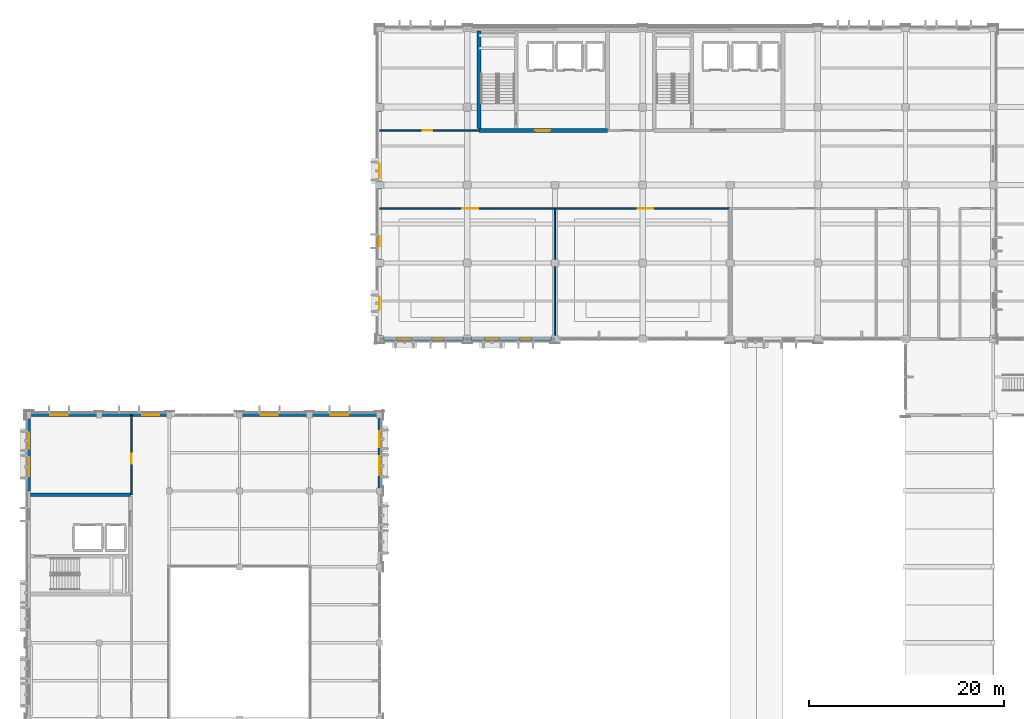
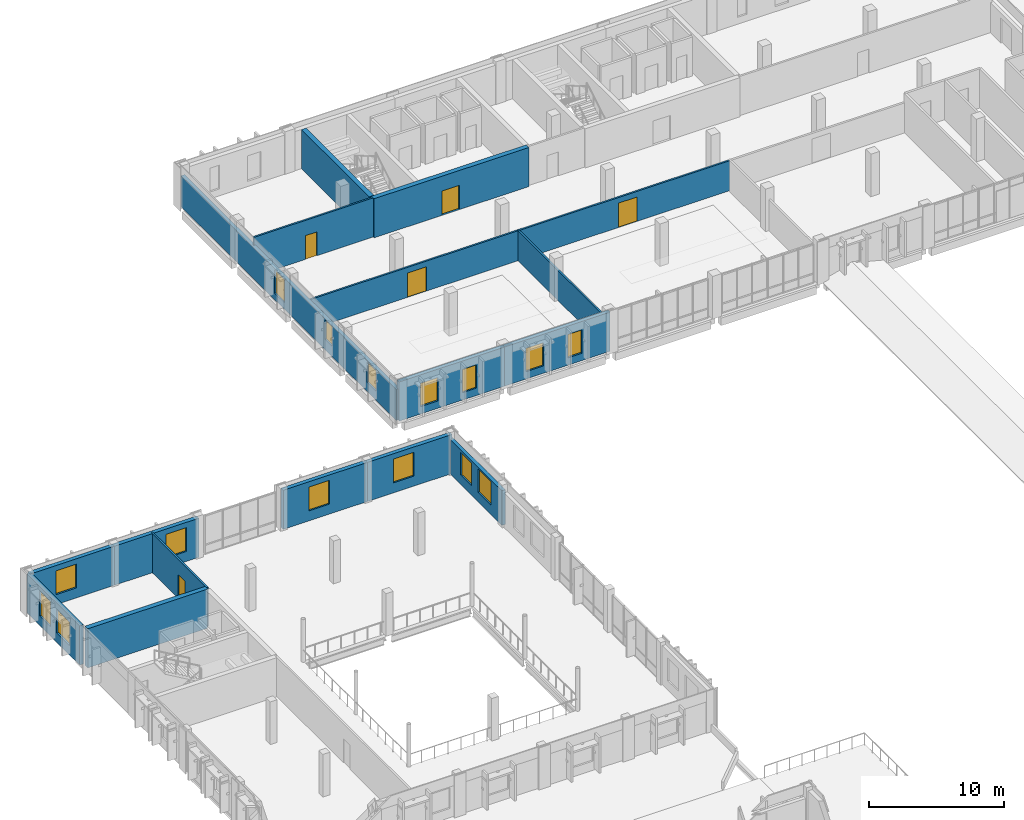
# One storey, part 42 of 64: 17 walls, 15 windows, 5 doors, 20 openings.
"""IFC4 building model written with IfcOpenShell, lengths in metres."""

from ifc_helpers import new_model, si_unit, direction, frame, frame_2d, origin, place, context, subcontext, project, spatial, rectangle, extrude, material, layer, layer_set, type_object, element, fill, save


model = new_model("IFC4")

# Units and contexts
model_context = context("Model", 3, precision=1e-05, world=origin(), true_north=direction((0.0, 1.0)))
body_context = subcontext(model_context, "Body", "Model", "MODEL_VIEW")
ifc_project = project(units=[si_unit("LENGTHUNIT", "METRE"), si_unit("AREAUNIT", "SQUARE_METRE"), si_unit("VOLUMEUNIT", "CUBIC_METRE"), si_unit("PLANEANGLEUNIT", "RADIAN"), si_unit("MASSUNIT", "GRAM", prefix="KILO")], contexts=[model_context])

# Site, building, storey
site_placement = place(None, origin())
site = spatial("IfcSite", under=ifc_project, at=site_placement, CompositionType="ELEMENT")
building_placement = place(site_placement, origin())
building = spatial("IfcBuilding", under=site, at=building_placement, Name="Vervanel Yard Central Library", CompositionType="ELEMENT")
storey_placement = place(building_placement, frame((0.0, 0.0, 8.93994140625)))
storey = spatial("IfcBuildingStorey", under=building, at=storey_placement, Name="L02", CompositionType="ELEMENT", Elevation=8.93994140625)

# Wall, openings, windows
ifc_material_1 = material(Name="Precast concrete C45/55", Category="concrete")
ifc_layer_1 = layer(ifc_material_1, 0.300048828125, Category="concrete")
ifc_layer_set_1 = layer_set([ifc_layer_1], Name="Precast concrete C45/55")
wall_type_1 = type_object("IfcWallType", Name="Bush-Hammered Precast Cladding Wall 300", PredefinedType="SOLIDWALL", material=ifc_layer_set_1)
wall_1_placement = place(storey_placement, frame((36.0, 82.199951171875, 0.0), z_axis=(0.0, 0.0, 1.0), x_axis=(0.0, 1.0, 0.0)))
wall_1 = element("IfcWall", 1, at=wall_1_placement, inside=storey, type_object=wall_type_1, Name="L02 Bush-Hammered Precast Cladding Wall 300 EWALL-L02-0042", PredefinedType="SOLIDWALL", context=body_context, shape_type="SweptSolid", body=[
    extrude(rectangle(XDim=31.800048828125, YDim=0.300048828125, at=frame_2d((15.89990234375, 0.0))), origin(), (0.0, 0.0, 1.0), 2.80517578125),
])
opening_1_placement = place(wall_1_placement, frame((3.0, 0.0, 0.8349609375)))
opening_1 = element("IfcOpeningElement", 2, at=opening_1_placement, cuts=wall_1, Name="Opening WN-17", PredefinedType="OPENING", context=body_context, shape_type="SweptSolid", body=[
    extrude(rectangle(XDim=1.35009765625, YDim=1.85009765625, at=frame_2d((0.675048828125, 0.925048828125))), frame((0.0, 0.159912109375, 0.0), z_axis=(0.0, -1.0, 0.0), x_axis=(1.0, 0.0, 0.0)), (0.0, 0.0, 1.0), 0.320068359375),
])
opening_2_placement = place(wall_1_placement, frame((9.5, 0.0, 0.93505859375)))
opening_2 = element("IfcOpeningElement", 3, at=opening_2_placement, cuts=wall_1, Name="Opening WN-16", PredefinedType="OPENING", context=body_context, shape_type="SweptSolid", body=[
    extrude(rectangle(XDim=1.050048828125, YDim=1.75, at=frame_2d((0.52490234375, 0.875))), frame((0.0, 0.159912109375, 0.0), z_axis=(0.0, -1.0, 0.0), x_axis=(1.0, 0.0, 0.0)), (0.0, 0.0, 1.0), 0.320068359375),
])
opening_3_placement = place(wall_1_placement, frame((16.5, 0.0, 0.5849609375)))
opening_3 = element("IfcOpeningElement", 4, at=opening_3_placement, cuts=wall_1, Name="Opening WN-02", PredefinedType="OPENING", context=body_context, shape_type="SweptSolid", body=[
    extrude(rectangle(XDim=1.5, YDim=2.10009765625, at=frame_2d((0.75, 1.050048828125))), frame((0.0, 0.159912109375, 0.0), z_axis=(0.0, -1.0, 0.0), x_axis=(1.0, 0.0, 0.0)), (0.0, 0.0, 1.0), 0.320068359375),
])
ifc_material_2 = material(Name="Double low-E laminated solar-control glass", Category="glass")
window_type_1 = type_object("IfcWindowType", Name="Archive Office Window 1350x1850", PartitioningType="SINGLE_PANEL", PredefinedType="WINDOW", material=ifc_material_2)
window_1_placement = place(opening_1_placement, origin())
window_1 = element("IfcWindow", 5, at=window_1_placement, inside=storey, type_object=window_type_1, Name="L02 Archive Office Window 1350x1850 57", OverallHeight=1.85009765625, OverallWidth=1.35009765625, PartitioningType="SINGLE_PANEL", PredefinedType="WINDOW", context=body_context, shape_type="SweptSolid", body=[
    extrude(rectangle(XDim=1.35009765625, YDim=1.85009765625, at=frame_2d((0.675048828125, 0.925048828125))), frame((0.0, 0.030029296875, 0.0), z_axis=(0.0, -1.0, 0.0), x_axis=(1.0, 0.0, 0.0)), (0.0, 0.0, 1.0), 0.06005859375),
])
fill(opening_1, window_1)
window_type_2 = type_object("IfcWindowType", Name="Reading Bay Window 1500x2100", PartitioningType="SINGLE_PANEL", PredefinedType="WINDOW", material=ifc_material_2)
window_2_placement = place(opening_3_placement, origin())
window_2 = element("IfcWindow", 6, at=window_2_placement, inside=storey, type_object=window_type_2, Name="L02 Reading Bay Window 1500x2100 59", OverallHeight=2.10009765625, OverallWidth=1.5, PartitioningType="SINGLE_PANEL", PredefinedType="WINDOW", context=body_context, shape_type="SweptSolid", body=[
    extrude(rectangle(XDim=1.5, YDim=2.10009765625, at=frame_2d((0.75, 1.050048828125))), frame((0.0, 0.030029296875, 0.0), z_axis=(0.0, -1.0, 0.0), x_axis=(1.0, 0.0, 0.0)), (0.0, 0.0, 1.0), 0.06005859375),
])
fill(opening_3, window_2)
window_type_3 = type_object("IfcWindowType", Name="Study Carrel Punch Window 1050x1750", PartitioningType="SINGLE_PANEL", PredefinedType="WINDOW", material=ifc_material_2)
window_3_placement = place(opening_2_placement, origin())
window_3 = element("IfcWindow", 7, at=window_3_placement, inside=storey, type_object=window_type_3, Name="L02 Study Carrel Punch Window 1050x1750 58", OverallHeight=1.75, OverallWidth=1.050048828125, PartitioningType="SINGLE_PANEL", PredefinedType="WINDOW", context=body_context, shape_type="SweptSolid", body=[
    extrude(rectangle(XDim=1.050048828125, YDim=1.75, at=frame_2d((0.52490234375, 0.875))), frame((0.0, 0.030029296875, 0.0), z_axis=(0.0, -1.0, 0.0), x_axis=(1.0, 0.0, 0.0)), (0.0, 0.0, 1.0), 0.06005859375),
])
fill(opening_2, window_3)

wall_2_placement = place(storey_placement, frame((36.0, 66.60009765625, 0.0), z_axis=(0.0, 0.0, 1.0), x_axis=(0.0, 1.0, 0.0)))
wall_2 = element("IfcWall", 8, at=wall_2_placement, inside=storey, type_object=wall_type_1, Name="L02 Bush-Hammered Precast Cladding Wall 300 EWALL-L02-0119", PredefinedType="SOLIDWALL", context=body_context, shape_type="SweptSolid", body=[
    extrude(rectangle(XDim=7.7998046875, YDim=0.300048828125, at=frame_2d((3.89990234375, 0.0))), origin(), (0.0, 0.0, 1.0), 3.11767578125),
])
opening_4_placement = place(wall_2_placement, frame((1.60009765625, 0.0, 0.85009765625)))
opening_4 = element("IfcOpeningElement", 9, at=opening_4_placement, cuts=wall_2, Name="Opening WN-24", PredefinedType="OPENING", context=body_context, shape_type="SweptSolid", body=[
    extrude(rectangle(XDim=1.949951171875, YDim=2.10009765625, at=frame_2d((0.97509765625, 1.050048828125))), frame((0.0, 0.159912109375, 0.0), z_axis=(0.0, -1.0, 0.0), x_axis=(1.0, 0.0, 0.0)), (0.0, 0.0, 1.0), 0.320068359375),
])
opening_5_placement = place(wall_2_placement, frame((4.5, 0.0, 0.85009765625)))
opening_5 = element("IfcOpeningElement", 10, at=opening_5_placement, cuts=wall_2, Name="Opening WN-20", PredefinedType="OPENING", context=body_context, shape_type="SweptSolid", body=[
    extrude(rectangle(XDim=1.60009765625, YDim=2.050048828125, at=frame_2d((0.800048828125, 1.02490234375))), frame((0.0, 0.159912109375, 0.0), z_axis=(0.0, -1.0, 0.0), x_axis=(1.0, 0.0, 0.0)), (0.0, 0.0, 1.0), 0.320068359375),
])
window_type_4 = type_object("IfcWindowType", Name="Atrium Study Window 1950x2100", PartitioningType="SINGLE_PANEL", PredefinedType="WINDOW", material=ifc_material_2)
window_4_placement = place(opening_4_placement, origin())
window_4 = element("IfcWindow", 11, at=window_4_placement, inside=storey, type_object=window_type_4, Name="L02 Atrium Study Window 1950x2100 160", OverallHeight=2.10009765625, OverallWidth=1.949951171875, PartitioningType="SINGLE_PANEL", PredefinedType="WINDOW", context=body_context, shape_type="SweptSolid", body=[
    extrude(rectangle(XDim=1.949951171875, YDim=2.10009765625, at=frame_2d((0.97509765625, 1.050048828125))), frame((0.0, 0.030029296875, 0.0), z_axis=(0.0, -1.0, 0.0), x_axis=(1.0, 0.0, 0.0)), (0.0, 0.0, 1.0), 0.06005859375),
])
fill(opening_4, window_4)
window_type_5 = type_object("IfcWindowType", Name="Reading Courtyard Window 1600x2050", PartitioningType="SINGLE_PANEL", PredefinedType="WINDOW", material=ifc_material_2)
window_5_placement = place(opening_5_placement, origin())
window_5 = element("IfcWindow", 12, at=window_5_placement, inside=storey, type_object=window_type_5, Name="L02 Reading Courtyard Window 1600x2050 161", OverallHeight=2.050048828125, OverallWidth=1.60009765625, PartitioningType="SINGLE_PANEL", PredefinedType="WINDOW", context=body_context, shape_type="SweptSolid", body=[
    extrude(rectangle(XDim=1.60009765625, YDim=2.050048828125, at=frame_2d((0.800048828125, 1.02490234375))), frame((0.0, 0.030029296875, 0.0), z_axis=(0.0, -1.0, 0.0), x_axis=(1.0, 0.0, 0.0)), (0.0, 0.0, 1.0), 0.06005859375),
])
fill(opening_5, window_5)

# Wall, opening, door
ifc_material_3 = material(Name="Concrete C45/55", Category="concrete")
ifc_layer_2 = layer(ifc_material_3, 0.39990234375, Category="concrete")
ifc_layer_set_2 = layer_set([ifc_layer_2], Name="Concrete C45/55")
wall_type_2 = type_object("IfcWallType", Name="Core Primary Shear Wall 400", PredefinedType="SHEAR", material=ifc_layer_set_2)
wall_3_placement = place(storey_placement, frame((46.199951171875, 103.60009765625, 0.0), z_axis=(0.0, 0.0, 1.0), x_axis=(1.0, 0.0, 0.0)))
wall_3 = element("IfcWall", 13, at=wall_3_placement, inside=storey, type_object=wall_type_2, Name="L02 CORE-A Shear Wall S", PredefinedType="SHEAR", context=body_context, shape_type="SweptSolid", body=[
    extrude(rectangle(XDim=13.199951171875, YDim=0.39990234375, at=frame_2d((6.60009765625, 0.0))), origin(), (0.0, 0.0, 1.0), 3.530029296875),
])
opening_6_placement = place(wall_3_placement, frame((5.800048828125, 0.0, 0.0)))
opening_6 = element("IfcOpeningElement", 14, at=opening_6_placement, cuts=wall_3, Name="Opening DR-F02", PredefinedType="OPENING", context=body_context, shape_type="SweptSolid", body=[
    extrude(rectangle(XDim=1.5, YDim=2.199951171875, at=frame_2d((0.75, 1.10009765625))), frame((0.0, 0.2099609375, 0.0), z_axis=(0.0, -1.0, 0.0), x_axis=(1.0, 0.0, 0.0)), (0.0, 0.0, 1.0), 0.419921875),
])
ifc_material_4 = material(Name="Galvanized painted steelwork ASTM A500 Grade C", Category="steel")
door_type_1 = type_object("IfcDoorType", Name="Fire-Rated Lobby Door 1500x2200", OperationType="NOTDEFINED", PredefinedType="DOOR", material=ifc_material_4)
door_1_placement = place(opening_6_placement, origin())
door_1 = element("IfcDoor", 15, at=door_1_placement, inside=storey, type_object=door_type_1, Name="L02 CORE-A Lobby Fire Door", OperationType="DOUBLE_DOOR_SINGLE_SWING", OverallHeight=2.199951171875, OverallWidth=1.5, PredefinedType="DOOR", context=body_context, shape_type="SweptSolid", body=[
    extrude(rectangle(XDim=1.5, YDim=2.199951171875, at=frame_2d((0.75, 1.10009765625))), frame((0.0, 0.02490234375, 0.0), z_axis=(0.0, -1.0, 0.0), x_axis=(1.0, 0.0, 0.0)), (0.0, 0.0, 1.0), 0.050048828125),
])
fill(opening_6, door_1)

# Walls
wall_4_placement = place(storey_placement, frame((46.199951171875, 103.800048828125, 0.0), z_axis=(0.0, 0.0, 1.0), x_axis=(0.0, 1.0, 0.0)))
element("IfcWall", 16, at=wall_4_placement, inside=storey, type_object=wall_type_2, Name="L02 CORE-A Shear Wall W", PredefinedType="SHEAR", context=body_context, shape_type="SweptSolid", body=[
    extrude(rectangle(XDim=10.010009765625, YDim=0.39990234375, at=frame_2d((5.0048828125, 0.0))), origin(), (0.0, 0.0, 1.0), 3.530029296875),
])
wall_5_placement = place(storey_placement, frame((0.169921875, 66.199951171875, 0.0), z_axis=(0.0, 0.0, 1.0), x_axis=(1.0, 0.0, 0.0)))
element("IfcWall", 17, at=wall_5_placement, inside=storey, type_object=wall_type_2, Name="L02 CORE-C Shear Wall N", PredefinedType="SHEAR", context=body_context, shape_type="SweptSolid", body=[
    extrude(rectangle(XDim=10.22998046875, YDim=0.39990234375, at=frame_2d((5.114990234375, 0.0))), origin(), (0.0, 0.0, 1.0), 3.530029296875),
])

# Wall, openings, windows
ifc_layer_3 = layer(ifc_material_3, 0.340087890625, Category="concrete")
ifc_layer_set_3 = layer_set([ifc_layer_3], Name="Concrete C45/55")
wall_type_3 = type_object("IfcWallType", Name="Exterior Bearing Concrete Frame Wall 340", PredefinedType="SOLIDWALL", material=ifc_layer_set_3)
wall_6_placement = place(storey_placement, frame((36.0, 82.199951171875, 0.0), z_axis=(0.0, 0.0, 1.0), x_axis=(1.0, 0.0, 0.0)))
wall_6 = element("IfcWall", 18, at=wall_6_placement, inside=storey, type_object=wall_type_3, Name="L02 Exterior Bearing Concrete Frame Wall 340 EWALL-L02-0039", PredefinedType="SOLIDWALL", context=body_context, shape_type="SweptSolid", body=[
    extrude(rectangle(XDim=9.0, YDim=0.340087890625, at=frame_2d((4.5, 0.0))), origin(), (0.0, 0.0, 1.0), 3.530029296875),
])
opening_7_placement = place(wall_6_placement, frame((1.800048828125, 0.0, 0.6650390625)))
opening_7 = element("IfcOpeningElement", 19, at=opening_7_placement, cuts=wall_6, Name="Opening WN-02", PredefinedType="OPENING", context=body_context, shape_type="SweptSolid", body=[
    extrude(rectangle(XDim=1.5, YDim=2.10009765625, at=frame_2d((0.75, 1.050048828125))), frame((0.0, 0.179931640625, 0.0), z_axis=(0.0, -1.0, 0.0), x_axis=(1.0, 0.0, 0.0)), (0.0, 0.0, 1.0), 0.360107421875),
])
opening_8_placement = place(wall_6_placement, frame((5.39990234375, 0.0, 0.6650390625)))
opening_8 = element("IfcOpeningElement", 20, at=opening_8_placement, cuts=wall_6, Name="Opening WN-01", PredefinedType="OPENING", context=body_context, shape_type="SweptSolid", body=[
    extrude(rectangle(XDim=1.199951171875, YDim=2.10009765625, at=frame_2d((0.60009765625, 1.050048828125))), frame((0.0, 0.179931640625, 0.0), z_axis=(0.0, -1.0, 0.0), x_axis=(1.0, 0.0, 0.0)), (0.0, 0.0, 1.0), 0.360107421875),
])
window_6_placement = place(opening_7_placement, origin())
window_6 = element("IfcWindow", 21, at=window_6_placement, inside=storey, type_object=window_type_2, Name="L02 Reading Bay Window 1500x2100 51", OverallHeight=2.10009765625, OverallWidth=1.5, PartitioningType="SINGLE_PANEL", PredefinedType="WINDOW", context=body_context, shape_type="SweptSolid", body=[
    extrude(rectangle(XDim=1.5, YDim=2.10009765625, at=frame_2d((0.75, 1.050048828125))), frame((0.0, 0.030029296875, 0.0), z_axis=(0.0, -1.0, 0.0), x_axis=(1.0, 0.0, 0.0)), (0.0, 0.0, 1.0), 0.06005859375),
])
fill(opening_7, window_6)
window_type_6 = type_object("IfcWindowType", Name="Reading Slot Window 1200x2100", PartitioningType="SINGLE_PANEL", PredefinedType="WINDOW", material=ifc_material_2)
window_7_placement = place(opening_8_placement, origin())
window_7 = element("IfcWindow", 22, at=window_7_placement, inside=storey, type_object=window_type_6, Name="L02 Reading Slot Window 1200x2100 52", OverallHeight=2.10009765625, OverallWidth=1.199951171875, PartitioningType="SINGLE_PANEL", PredefinedType="WINDOW", context=body_context, shape_type="SweptSolid", body=[
    extrude(rectangle(XDim=1.199951171875, YDim=2.10009765625, at=frame_2d((0.60009765625, 1.050048828125))), frame((0.0, 0.030029296875, 0.0), z_axis=(0.0, -1.0, 0.0), x_axis=(1.0, 0.0, 0.0)), (0.0, 0.0, 1.0), 0.06005859375),
])
fill(opening_8, window_7)

wall_7_placement = place(storey_placement, frame((45.0, 82.199951171875, 0.0), z_axis=(0.0, 0.0, 1.0), x_axis=(1.0, 0.0, 0.0)))
wall_7 = element("IfcWall", 23, at=wall_7_placement, inside=storey, type_object=wall_type_3, Name="L02 Exterior Bearing Concrete Frame Wall 340 EWALL-L02-0040", PredefinedType="SOLIDWALL", context=body_context, shape_type="SweptSolid", body=[
    extrude(rectangle(XDim=9.0, YDim=0.340087890625, at=frame_2d((4.5, 0.0))), origin(), (0.0, 0.0, 1.0), 3.530029296875),
])
opening_9_placement = place(wall_7_placement, frame((1.800048828125, 0.0, 0.6650390625)))
opening_9 = element("IfcOpeningElement", 24, at=opening_9_placement, cuts=wall_7, Name="Opening WN-02", PredefinedType="OPENING", context=body_context, shape_type="SweptSolid", body=[
    extrude(rectangle(XDim=1.5, YDim=2.10009765625, at=frame_2d((0.75, 1.050048828125))), frame((0.0, 0.179931640625, 0.0), z_axis=(0.0, -1.0, 0.0), x_axis=(1.0, 0.0, 0.0)), (0.0, 0.0, 1.0), 0.360107421875),
])
opening_10_placement = place(wall_7_placement, frame((5.39990234375, 0.0, 0.6650390625)))
opening_10 = element("IfcOpeningElement", 25, at=opening_10_placement, cuts=wall_7, Name="Opening WN-01", PredefinedType="OPENING", context=body_context, shape_type="SweptSolid", body=[
    extrude(rectangle(XDim=1.199951171875, YDim=2.10009765625, at=frame_2d((0.60009765625, 1.050048828125))), frame((0.0, 0.179931640625, 0.0), z_axis=(0.0, -1.0, 0.0), x_axis=(1.0, 0.0, 0.0)), (0.0, 0.0, 1.0), 0.360107421875),
])
window_8_placement = place(opening_9_placement, origin())
window_8 = element("IfcWindow", 26, at=window_8_placement, inside=storey, type_object=window_type_2, Name="L02 Reading Bay Window 1500x2100 53", OverallHeight=2.10009765625, OverallWidth=1.5, PartitioningType="SINGLE_PANEL", PredefinedType="WINDOW", context=body_context, shape_type="SweptSolid", body=[
    extrude(rectangle(XDim=1.5, YDim=2.10009765625, at=frame_2d((0.75, 1.050048828125))), frame((0.0, 0.030029296875, 0.0), z_axis=(0.0, -1.0, 0.0), x_axis=(1.0, 0.0, 0.0)), (0.0, 0.0, 1.0), 0.06005859375),
])
fill(opening_9, window_8)
window_9_placement = place(opening_10_placement, origin())
window_9 = element("IfcWindow", 27, at=window_9_placement, inside=storey, type_object=window_type_6, Name="L02 Reading Slot Window 1200x2100 54", OverallHeight=2.10009765625, OverallWidth=1.199951171875, PartitioningType="SINGLE_PANEL", PredefinedType="WINDOW", context=body_context, shape_type="SweptSolid", body=[
    extrude(rectangle(XDim=1.199951171875, YDim=2.10009765625, at=frame_2d((0.60009765625, 1.050048828125))), frame((0.0, 0.030029296875, 0.0), z_axis=(0.0, -1.0, 0.0), x_axis=(1.0, 0.0, 0.0)), (0.0, 0.0, 1.0), 0.06005859375),
])
fill(opening_10, window_9)

wall_8_placement = place(storey_placement, frame((0.0, 66.60009765625, 0.0), z_axis=(0.0, 0.0, 1.0), x_axis=(0.0, 1.0, 0.0)))
wall_8 = element("IfcWall", 28, at=wall_8_placement, inside=storey, type_object=wall_type_3, Name="L02 Exterior Bearing Concrete Frame Wall 340 EWALL-L02-0116", PredefinedType="SOLIDWALL", context=body_context, shape_type="SweptSolid", body=[
    extrude(rectangle(XDim=7.7998046875, YDim=0.340087890625, at=frame_2d((3.89990234375, 0.0))), origin(), (0.0, 0.0, 1.0), 3.530029296875),
])
opening_11_placement = place(wall_8_placement, frame((1.5, 0.0, 0.85009765625)))
opening_11 = element("IfcOpeningElement", 29, at=opening_11_placement, cuts=wall_8, Name="Opening WN-24", PredefinedType="OPENING", context=body_context, shape_type="SweptSolid", body=[
    extrude(rectangle(XDim=1.949951171875, YDim=2.10009765625, at=frame_2d((0.97509765625, 1.050048828125))), frame((0.0, 0.179931640625, 0.0), z_axis=(0.0, -1.0, 0.0), x_axis=(1.0, 0.0, 0.0)), (0.0, 0.0, 1.0), 0.360107421875),
])
opening_12_placement = place(wall_8_placement, frame((4.300048828125, 0.0, 0.85009765625)))
opening_12 = element("IfcOpeningElement", 30, at=opening_12_placement, cuts=wall_8, Name="Opening WN-07", PredefinedType="OPENING", context=body_context, shape_type="SweptSolid", body=[
    extrude(rectangle(XDim=1.64990234375, YDim=2.25, at=frame_2d((0.824951171875, 1.125))), frame((0.0, 0.179931640625, 0.0), z_axis=(0.0, -1.0, 0.0), x_axis=(1.0, 0.0, 0.0)), (0.0, 0.0, 1.0), 0.360107421875),
])
window_10_placement = place(opening_11_placement, origin())
window_10 = element("IfcWindow", 31, at=window_10_placement, inside=storey, type_object=window_type_4, Name="L02 Atrium Study Window 1950x2100 154", OverallHeight=2.10009765625, OverallWidth=1.949951171875, PartitioningType="SINGLE_PANEL", PredefinedType="WINDOW", context=body_context, shape_type="SweptSolid", body=[
    extrude(rectangle(XDim=1.949951171875, YDim=2.10009765625, at=frame_2d((0.97509765625, 1.050048828125))), frame((0.0, 0.030029296875, 0.0), z_axis=(0.0, -1.0, 0.0), x_axis=(1.0, 0.0, 0.0)), (0.0, 0.0, 1.0), 0.06005859375),
])
fill(opening_11, window_10)
window_type_7 = type_object("IfcWindowType", Name="Atrium Wing Window 1650x2250", PartitioningType="SINGLE_PANEL", PredefinedType="WINDOW", material=ifc_material_2)
window_11_placement = place(opening_12_placement, origin())
window_11 = element("IfcWindow", 32, at=window_11_placement, inside=storey, type_object=window_type_7, Name="L02 Atrium Wing Window 1650x2250 155", OverallHeight=2.25, OverallWidth=1.64990234375, PartitioningType="SINGLE_PANEL", PredefinedType="WINDOW", context=body_context, shape_type="SweptSolid", body=[
    extrude(rectangle(XDim=1.64990234375, YDim=2.25, at=frame_2d((0.824951171875, 1.125))), frame((0.0, 0.030029296875, 0.0), z_axis=(0.0, -1.0, 0.0), x_axis=(1.0, 0.0, 0.0)), (0.0, 0.0, 1.0), 0.06005859375),
])
fill(opening_12, window_11)

# Wall, opening, window
wall_9_placement = place(storey_placement, frame((0.0, 74.39990234375, 0.0), z_axis=(0.0, 0.0, 1.0), x_axis=(1.0, 0.0, 0.0)))
wall_9 = element("IfcWall", 33, at=wall_9_placement, inside=storey, type_object=wall_type_3, Name="L02 Exterior Bearing Concrete Frame Wall 340 EWALL-L02-0120", PredefinedType="SOLIDWALL", context=body_context, shape_type="SweptSolid", body=[
    extrude(rectangle(XDim=7.199951171875, YDim=0.340087890625, at=frame_2d((3.60009765625, 0.0))), origin(), (0.0, 0.0, 1.0), 3.530029296875),
])
opening_13_placement = place(wall_9_placement, frame((2.199951171875, 0.0, 0.89990234375)))
opening_13 = element("IfcOpeningElement", 34, at=opening_13_placement, cuts=wall_9, Name="Opening WN-23", PredefinedType="OPENING", context=body_context, shape_type="SweptSolid", body=[
    extrude(rectangle(XDim=1.75, YDim=2.14990234375, at=frame_2d((0.875, 1.074951171875))), frame((0.0, 0.179931640625, 0.0), z_axis=(0.0, -1.0, 0.0), x_axis=(1.0, 0.0, 0.0)), (0.0, 0.0, 1.0), 0.360107421875),
])
window_type_8 = type_object("IfcWindowType", Name="Atrium Northlight Window 1750x2150", PartitioningType="SINGLE_PANEL", PredefinedType="WINDOW", material=ifc_material_2)
window_12_placement = place(opening_13_placement, origin())
window_12 = element("IfcWindow", 35, at=window_12_placement, inside=storey, type_object=window_type_8, Name="L02 Atrium Northlight Window 1750x2150 162", OverallHeight=2.14990234375, OverallWidth=1.75, PartitioningType="SINGLE_PANEL", PredefinedType="WINDOW", context=body_context, shape_type="SweptSolid", body=[
    extrude(rectangle(XDim=1.75, YDim=2.14990234375, at=frame_2d((0.875, 1.074951171875))), frame((0.0, 0.030029296875, 0.0), z_axis=(0.0, -1.0, 0.0), x_axis=(1.0, 0.0, 0.0)), (0.0, 0.0, 1.0), 0.06005859375),
])
fill(opening_13, window_12)

wall_10_placement = place(storey_placement, frame((7.199951171875, 74.39990234375, 0.0), z_axis=(0.0, 0.0, 1.0), x_axis=(1.0, 0.0, 0.0)))
wall_10 = element("IfcWall", 36, at=wall_10_placement, inside=storey, type_object=wall_type_3, Name="L02 Exterior Bearing Concrete Frame Wall 340 EWALL-L02-0122", PredefinedType="SOLIDWALL", context=body_context, shape_type="SweptSolid", body=[
    extrude(rectangle(XDim=7.199951171875, YDim=0.340087890625, at=frame_2d((3.60009765625, 0.0))), origin(), (0.0, 0.0, 1.0), 3.530029296875),
])
opening_14_placement = place(wall_10_placement, frame((4.39990234375, 0.0, 0.89990234375)))
opening_14 = element("IfcOpeningElement", 37, at=opening_14_placement, cuts=wall_10, Name="Opening WN-23", PredefinedType="OPENING", context=body_context, shape_type="SweptSolid", body=[
    extrude(rectangle(XDim=1.75, YDim=2.14990234375, at=frame_2d((0.875, 1.074951171875))), frame((0.0, 0.179931640625, 0.0), z_axis=(0.0, -1.0, 0.0), x_axis=(1.0, 0.0, 0.0)), (0.0, 0.0, 1.0), 0.360107421875),
])
window_13_placement = place(opening_14_placement, origin())
window_13 = element("IfcWindow", 38, at=window_13_placement, inside=storey, type_object=window_type_8, Name="L02 Atrium Northlight Window 1750x2150 164", OverallHeight=2.14990234375, OverallWidth=1.75, PartitioningType="SINGLE_PANEL", PredefinedType="WINDOW", context=body_context, shape_type="SweptSolid", body=[
    extrude(rectangle(XDim=1.75, YDim=2.14990234375, at=frame_2d((0.875, 1.074951171875))), frame((0.0, 0.030029296875, 0.0), z_axis=(0.0, -1.0, 0.0), x_axis=(1.0, 0.0, 0.0)), (0.0, 0.0, 1.0), 0.06005859375),
])
fill(opening_14, window_13)

wall_11_placement = place(storey_placement, frame((21.60009765625, 74.39990234375, 0.0), z_axis=(0.0, 0.0, 1.0), x_axis=(1.0, 0.0, 0.0)))
wall_11 = element("IfcWall", 39, at=wall_11_placement, inside=storey, type_object=wall_type_3, Name="L02 Exterior Bearing Concrete Frame Wall 340 EWALL-L02-0125", PredefinedType="SOLIDWALL", context=body_context, shape_type="SweptSolid", body=[
    extrude(rectangle(XDim=7.199951171875, YDim=0.340087890625, at=frame_2d((3.60009765625, 0.0))), origin(), (0.0, 0.0, 1.0), 3.530029296875),
])
opening_15_placement = place(wall_11_placement, frame((2.199951171875, 0.0, 0.89990234375)))
opening_15 = element("IfcOpeningElement", 40, at=opening_15_placement, cuts=wall_11, Name="Opening WN-23", PredefinedType="OPENING", context=body_context, shape_type="SweptSolid", body=[
    extrude(rectangle(XDim=1.75, YDim=2.14990234375, at=frame_2d((0.875, 1.074951171875))), frame((0.0, 0.179931640625, 0.0), z_axis=(0.0, -1.0, 0.0), x_axis=(1.0, 0.0, 0.0)), (0.0, 0.0, 1.0), 0.360107421875),
])
window_14_placement = place(opening_15_placement, origin())
window_14 = element("IfcWindow", 41, at=window_14_placement, inside=storey, type_object=window_type_8, Name="L02 Atrium Northlight Window 1750x2150 167", OverallHeight=2.14990234375, OverallWidth=1.75, PartitioningType="SINGLE_PANEL", PredefinedType="WINDOW", context=body_context, shape_type="SweptSolid", body=[
    extrude(rectangle(XDim=1.75, YDim=2.14990234375, at=frame_2d((0.875, 1.074951171875))), frame((0.0, 0.030029296875, 0.0), z_axis=(0.0, -1.0, 0.0), x_axis=(1.0, 0.0, 0.0)), (0.0, 0.0, 1.0), 0.06005859375),
])
fill(opening_15, window_14)

wall_12_placement = place(storey_placement, frame((28.800048828125, 74.39990234375, 0.0), z_axis=(0.0, 0.0, 1.0), x_axis=(1.0, 0.0, 0.0)))
wall_12 = element("IfcWall", 42, at=wall_12_placement, inside=storey, type_object=wall_type_3, Name="L02 Exterior Bearing Concrete Frame Wall 340 EWALL-L02-0127", PredefinedType="SOLIDWALL", context=body_context, shape_type="SweptSolid", body=[
    extrude(rectangle(XDim=7.199951171875, YDim=0.340087890625, at=frame_2d((3.60009765625, 0.0))), origin(), (0.0, 0.0, 1.0), 3.530029296875),
])
opening_16_placement = place(wall_12_placement, frame((2.199951171875, 0.0, 0.89990234375)))
opening_16 = element("IfcOpeningElement", 43, at=opening_16_placement, cuts=wall_12, Name="Opening WN-23", PredefinedType="OPENING", context=body_context, shape_type="SweptSolid", body=[
    extrude(rectangle(XDim=1.75, YDim=2.14990234375, at=frame_2d((0.875, 1.074951171875))), frame((0.0, 0.179931640625, 0.0), z_axis=(0.0, -1.0, 0.0), x_axis=(1.0, 0.0, 0.0)), (0.0, 0.0, 1.0), 0.360107421875),
])
window_15_placement = place(opening_16_placement, origin())
window_15 = element("IfcWindow", 44, at=window_15_placement, inside=storey, type_object=window_type_8, Name="L02 Atrium Northlight Window 1750x2150 169", OverallHeight=2.14990234375, OverallWidth=1.75, PartitioningType="SINGLE_PANEL", PredefinedType="WINDOW", context=body_context, shape_type="SweptSolid", body=[
    extrude(rectangle(XDim=1.75, YDim=2.14990234375, at=frame_2d((0.875, 1.074951171875))), frame((0.0, 0.030029296875, 0.0), z_axis=(0.0, -1.0, 0.0), x_axis=(1.0, 0.0, 0.0)), (0.0, 0.0, 1.0), 0.06005859375),
])
fill(opening_16, window_15)

# Wall, opening, door
ifc_material_5 = material(Name="Fire-rated gypsum board on steel studs", Category="steel")
ifc_layer_4 = layer(ifc_material_5, 0.14990234375, Category="steel")
ifc_layer_set_4 = layer_set([ifc_layer_4], Name="Fire-rated gypsum board on steel studs")
wall_type_4 = type_object("IfcWallType", Name="Interior Partition 150", PredefinedType="PARTITIONING", material=ifc_layer_set_4)
wall_13_placement = place(storey_placement, frame((36.0, 95.60009765625, 0.0), z_axis=(0.0, 0.0, 1.0), x_axis=(1.0, 0.0, 0.0)))
wall_13 = element("IfcWall", 45, at=wall_13_placement, inside=storey, type_object=wall_type_4, Name="L02 Interior Partition 150 IPART-L02-0071", PredefinedType="PARTITIONING", context=body_context, shape_type="SweptSolid", body=[
    extrude(rectangle(XDim=18.0, YDim=0.14990234375, at=frame_2d((9.0, 0.0))), origin(), (0.0, 0.0, 1.0), 2.705078125),
])
opening_17_placement = place(wall_13_placement, frame((8.5, 0.0, 0.0)))
opening_17 = element("IfcOpeningElement", 46, at=opening_17_placement, cuts=wall_13, Name="Opening DR-04", PredefinedType="OPENING", context=body_context, shape_type="SweptSolid", body=[
    extrude(rectangle(XDim=1.60009765625, YDim=2.199951171875, at=frame_2d((0.800048828125, 1.10009765625))), frame((0.0, 0.0849609375, 0.0), z_axis=(0.0, -1.0, 0.0), x_axis=(1.0, 0.0, 0.0)), (0.0, 0.0, 1.0), 0.169921875),
])
ifc_material_6 = material(Name="Solid white oak acoustic joinery", Category="wood")
door_type_2 = type_object("IfcDoorType", Name="Interior Double Reading Door 1600x2200", OperationType="NOTDEFINED", PredefinedType="DOOR", material=ifc_material_6)
door_2_placement = place(opening_17_placement, origin())
door_2 = element("IfcDoor", 47, at=door_2_placement, inside=storey, type_object=door_type_2, Name="L02 Interior Double Reading Door 1600x2200 IDOOR-L02-0058", OperationType="DOUBLE_DOOR_SINGLE_SWING", OverallHeight=2.199951171875, OverallWidth=1.60009765625, PredefinedType="DOOR", context=body_context, shape_type="SweptSolid", body=[
    extrude(rectangle(XDim=1.60009765625, YDim=2.199951171875, at=frame_2d((0.800048828125, 1.10009765625))), frame((0.0, 0.02490234375, 0.0), z_axis=(0.0, -1.0, 0.0), x_axis=(1.0, 0.0, 0.0)), (0.0, 0.0, 1.0), 0.050048828125),
])
fill(opening_17, door_2)

wall_14_placement = place(storey_placement, frame((54.0, 95.60009765625, 0.0), z_axis=(0.0, 0.0, 1.0), x_axis=(1.0, 0.0, 0.0)))
wall_14 = element("IfcWall", 48, at=wall_14_placement, inside=storey, type_object=wall_type_4, Name="L02 Interior Partition 150 IPART-L02-0072", PredefinedType="PARTITIONING", context=body_context, shape_type="SweptSolid", body=[
    extrude(rectangle(XDim=18.0, YDim=0.14990234375, at=frame_2d((9.0, 0.0))), origin(), (0.0, 0.0, 1.0), 2.705078125),
])
opening_18_placement = place(wall_14_placement, frame((8.5, 0.0, 0.0)))
opening_18 = element("IfcOpeningElement", 49, at=opening_18_placement, cuts=wall_14, Name="Opening DR-04", PredefinedType="OPENING", context=body_context, shape_type="SweptSolid", body=[
    extrude(rectangle(XDim=1.60009765625, YDim=2.199951171875, at=frame_2d((0.800048828125, 1.10009765625))), frame((0.0, 0.0849609375, 0.0), z_axis=(0.0, -1.0, 0.0), x_axis=(1.0, 0.0, 0.0)), (0.0, 0.0, 1.0), 0.169921875),
])
door_3_placement = place(opening_18_placement, origin())
door_3 = element("IfcDoor", 50, at=door_3_placement, inside=storey, type_object=door_type_2, Name="L02 Interior Double Reading Door 1600x2200 IDOOR-L02-0059", OperationType="DOUBLE_DOOR_SINGLE_SWING", OverallHeight=2.199951171875, OverallWidth=1.60009765625, PredefinedType="DOOR", context=body_context, shape_type="SweptSolid", body=[
    extrude(rectangle(XDim=1.60009765625, YDim=2.199951171875, at=frame_2d((0.800048828125, 1.10009765625))), frame((0.0, 0.02490234375, 0.0), z_axis=(0.0, -1.0, 0.0), x_axis=(1.0, 0.0, 0.0)), (0.0, 0.0, 1.0), 0.050048828125),
])
fill(opening_18, door_3)

# Wall
wall_15_placement = place(storey_placement, frame((54.0, 82.199951171875, 0.0), z_axis=(0.0, 0.0, 1.0), x_axis=(0.0, 1.0, 0.0)))
element("IfcWall", 51, at=wall_15_placement, inside=storey, type_object=wall_type_4, Name="L02 Interior Partition 150 IPART-L02-0073", PredefinedType="PARTITIONING", context=body_context, shape_type="SweptSolid", body=[
    extrude(rectangle(XDim=13.400146484375, YDim=0.14990234375, at=frame_2d((6.7001953125, 0.0))), origin(), (0.0, 0.0, 1.0), 2.705078125),
])

# Wall, opening, door
wall_16_placement = place(storey_placement, frame((36.0, 103.60009765625, 0.0), z_axis=(0.0, 0.0, 1.0), x_axis=(1.0, 0.0, 0.0)))
wall_16 = element("IfcWall", 52, at=wall_16_placement, inside=storey, type_object=wall_type_4, Name="L02 Interior Partition 150 IPART-L02-0083", PredefinedType="PARTITIONING", context=body_context, shape_type="SweptSolid", body=[
    extrude(rectangle(XDim=10.199951171875, YDim=0.14990234375, at=frame_2d((5.10009765625, 0.0))), origin(), (0.0, 0.0, 1.0), 3.530029296875),
])
opening_19_placement = place(wall_16_placement, frame((4.39990234375, 0.0, 0.0)))
opening_19 = element("IfcOpeningElement", 53, at=opening_19_placement, cuts=wall_16, Name="Opening DR-01", PredefinedType="OPENING", context=body_context, shape_type="SweptSolid", body=[
    extrude(rectangle(XDim=1.0, YDim=2.14990234375, at=frame_2d((0.5, 1.074951171875))), frame((0.0, 0.0849609375, 0.0), z_axis=(0.0, -1.0, 0.0), x_axis=(1.0, 0.0, 0.0)), (0.0, 0.0, 1.0), 0.169921875),
])
door_type_3 = type_object("IfcDoorType", Name="Interior Single Door 1000x2150", OperationType="NOTDEFINED", PredefinedType="DOOR", material=ifc_material_6)
door_4_placement = place(opening_19_placement, origin())
door_4 = element("IfcDoor", 54, at=door_4_placement, inside=storey, type_object=door_type_3, Name="L02 Interior Single Door 1000x2150 IDOOR-L02-0064", OperationType="SINGLE_SWING_LEFT", OverallHeight=2.14990234375, OverallWidth=1.0, PredefinedType="DOOR", context=body_context, shape_type="SweptSolid", body=[
    extrude(rectangle(XDim=1.0, YDim=2.14990234375, at=frame_2d((0.5, 1.074951171875))), frame((0.0, 0.02490234375, 0.0), z_axis=(0.0, -1.0, 0.0), x_axis=(1.0, 0.0, 0.0)), (0.0, 0.0, 1.0), 0.050048828125),
])
fill(opening_19, door_4)

wall_17_placement = place(storey_placement, frame((10.5, 66.199951171875, 0.0), z_axis=(0.0, 0.0, 1.0), x_axis=(0.0, 1.0, 0.0)))
wall_17 = element("IfcWall", 55, at=wall_17_placement, inside=storey, type_object=wall_type_4, Name="L02 Interior Partition 150 IPART-L02-0087", PredefinedType="PARTITIONING", context=body_context, shape_type="SweptSolid", body=[
    extrude(rectangle(XDim=8.199951171875, YDim=0.14990234375, at=frame_2d((4.10009765625, 0.0))), origin(), (0.0, 0.0, 1.0), 3.530029296875),
])
opening_20_placement = place(wall_17_placement, frame((3.199951171875, 0.0, 0.0)))
opening_20 = element("IfcOpeningElement", 56, at=opening_20_placement, cuts=wall_17, Name="Opening DR-01", PredefinedType="OPENING", context=body_context, shape_type="SweptSolid", body=[
    extrude(rectangle(XDim=1.0, YDim=2.14990234375, at=frame_2d((0.5, 1.074951171875))), frame((0.0, 0.0849609375, 0.0), z_axis=(0.0, -1.0, 0.0), x_axis=(1.0, 0.0, 0.0)), (0.0, 0.0, 1.0), 0.169921875),
])
door_5_placement = place(opening_20_placement, origin())
door_5 = element("IfcDoor", 57, at=door_5_placement, inside=storey, type_object=door_type_3, Name="L02 Interior Single Door 1000x2150 IDOOR-L02-0068", OperationType="SINGLE_SWING_LEFT", OverallHeight=2.14990234375, OverallWidth=1.0, PredefinedType="DOOR", context=body_context, shape_type="SweptSolid", body=[
    extrude(rectangle(XDim=1.0, YDim=2.14990234375, at=frame_2d((0.5, 1.074951171875))), frame((0.0, 0.02490234375, 0.0), z_axis=(0.0, -1.0, 0.0), x_axis=(1.0, 0.0, 0.0)), (0.0, 0.0, 1.0), 0.050048828125),
])
fill(opening_20, door_5)

save(model, "model.ifc")
